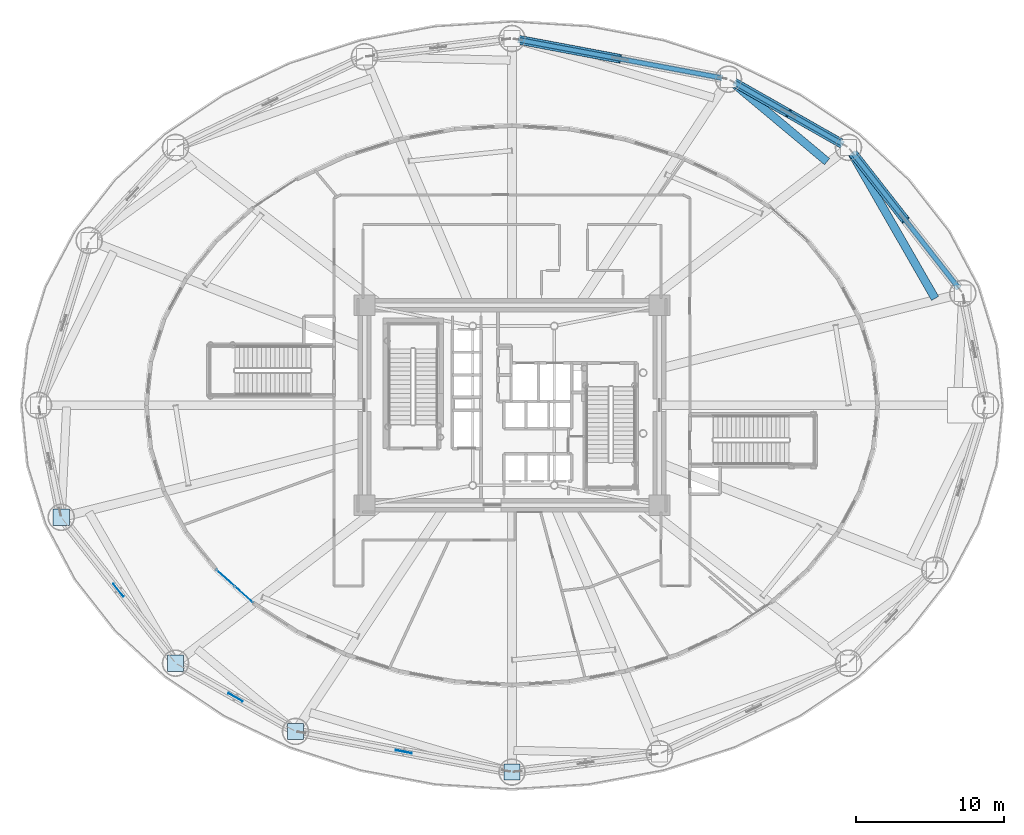
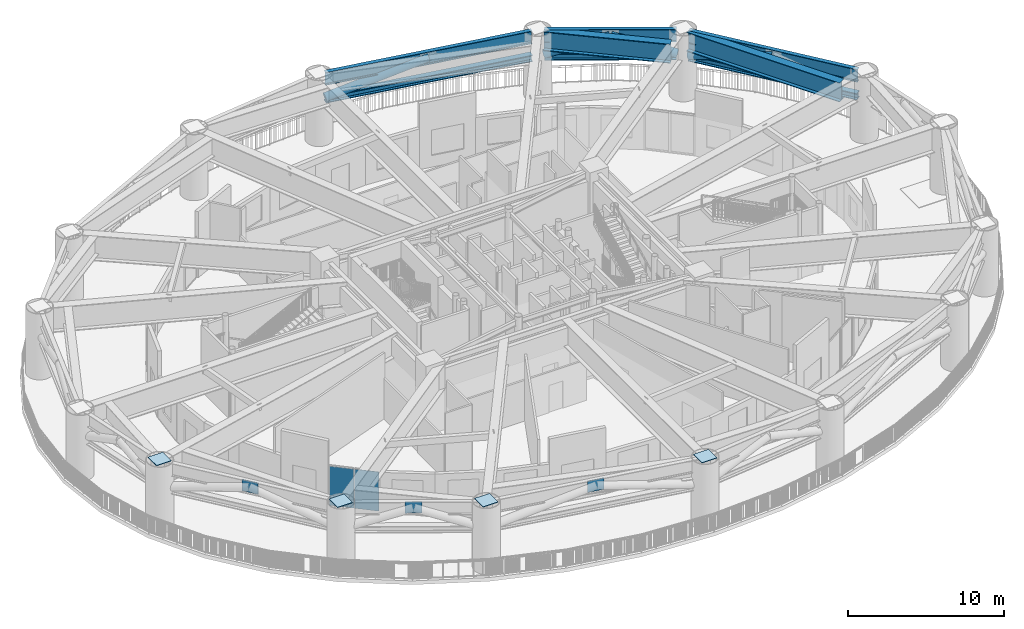
# One storey, part 15 of 39: 9 plates, 8 beams, 4 members, 1 element without a shape of its own.
"""IFC4 building model written with IfcOpenShell, lengths in metres."""

from ifc_helpers import new_model, si_unit, direction, frame, origin, origin_2d, place, context, subcontext, project, spatial, rectangle, hollow_circle, i_section, extrude, source, transform, mapped, material, layer, layer_set, material_profile, profile_set, type_object, element, aggregate, save


model = new_model("IFC4")

# Units and contexts
model_context = context("Model", 3, precision=1e-05, world=origin(), true_north=direction((0.0, 1.0)))
body_context = subcontext(model_context, "Body", "Model", "MODEL_VIEW")
ifc_project = project(units=[si_unit("LENGTHUNIT", "METRE"), si_unit("AREAUNIT", "SQUARE_METRE"), si_unit("VOLUMEUNIT", "CUBIC_METRE"), si_unit("PLANEANGLEUNIT", "RADIAN"), si_unit("MASSUNIT", "GRAM", prefix="KILO")], contexts=[model_context])

# Site, building, storey
site_placement = place(None, origin())
site = spatial("IfcSite", under=ifc_project, at=site_placement, CompositionType="ELEMENT")
building_placement = place(site_placement, origin())
building = spatial("IfcBuilding", under=site, at=building_placement, Name="Linh Dai School and Residence Tower", CompositionType="ELEMENT")
storey_placement = place(building_placement, frame((0.0, 0.0, 27.0)))
storey = spatial("IfcBuildingStorey", under=building, at=storey_placement, Name="L06", CompositionType="ELEMENT", Elevation=27.0)

# Beams
ifc_material_1 = material(Name="Structural Steel S355JR", Category="steel")
ifc_material_profile_1 = material_profile(ifc_material_1, i_section(OverallWidth=0.41796875, OverallDepth=0.506103515625, WebThickness=0.038818359375, FlangeThickness=0.05810546875, FilletRadius=0.014892578125, at=origin_2d()), Name="HD 400x551")
ifc_profile_set_1 = profile_set([ifc_material_profile_1], Name="Structural Steel S355JR")
beam_type_1 = type_object("IfcBeamType", Name="BM-BC1", PredefinedType="BEAM", material=ifc_profile_set_1)
beam_1_placement = place(storey_placement, frame((66.161376953125, 34.885986328125, 3.050048828125), z_axis=(-0.616811949607, 0.787110550572, 0.0), x_axis=(-0.787110550572, -0.616811949607, 0.0)))
element("IfcBeam", 1, at=beam_1_placement, inside=storey, type_object=beam_type_1, Name="L06 Ring Belt Truss BT1 Bottom Chord 02", PredefinedType="BEAM", context=body_context, shape_type="SweptSolid", body=[
    extrude(i_section(OverallWidth=0.41796875, OverallDepth=0.506103515625, WebThickness=0.038818359375, FlangeThickness=0.05810546875, FilletRadius=0.014892578125, at=origin_2d()), origin(), (0.0, 0.0, 1.0), 11.668212890625),
])
beam_2_placement = place(storey_placement, frame((58.340087890625, 44.6083984375, 3.050048828125), z_axis=(-0.869246663758, 0.494378637833, 0.0), x_axis=(-0.494378637833, -0.869246663758, 0.0)))
element("IfcBeam", 2, at=beam_2_placement, inside=storey, type_object=beam_type_1, Name="L06 Ring Belt Truss BT1 Bottom Chord 03", PredefinedType="BEAM", context=body_context, shape_type="SweptSolid", body=[
    extrude(i_section(OverallWidth=0.41796875, OverallDepth=0.506103515625, WebThickness=0.038818359375, FlangeThickness=0.05810546875, FilletRadius=0.014892578125, at=origin_2d()), origin(), (0.0, 0.0, 1.0), 8.4736328125),
])
beam_3_placement = place(storey_placement, frame((50.196533203125, 49.082763671875, 3.050048828125), z_axis=(-0.98280551354, 0.184643772045, 0.0), x_axis=(-0.184643772045, -0.98280551354, 0.0)))
element("IfcBeam", 3, at=beam_3_placement, inside=storey, type_object=beam_type_1, Name="L06 Ring Belt Truss BT1 Bottom Chord 04", PredefinedType="BEAM", context=body_context, shape_type="SweptSolid", body=[
    extrude(i_section(OverallWidth=0.41796875, OverallDepth=0.506103515625, WebThickness=0.038818359375, FlangeThickness=0.05810546875, FilletRadius=0.014892578125, at=origin_2d()), origin(), (0.0, 0.0, 1.0), 14.02490234375),
])
ifc_material_profile_2 = material_profile(ifc_material_1, i_section(OverallWidth=0.300048828125, OverallDepth=1.0, WebThickness=0.01904296875, FlangeThickness=0.035888671875, FilletRadius=0.030029296875, at=origin_2d()), Name="HEB 1000")
ifc_profile_set_2 = profile_set([ifc_material_profile_2], Name="Structural Steel S355JR")
beam_type_2 = type_object("IfcBeamType", Name="BM-RG10", PredefinedType="BEAM", material=ifc_profile_set_2)
beam_4_placement = place(storey_placement, frame((66.161376953125, 34.885986328125, 4.64990234375), z_axis=(-0.616811949607, 0.787110550572, 0.0), x_axis=(-0.787110550572, -0.616811949607, 0.0)))
element("IfcBeam", 4, at=beam_4_placement, inside=storey, type_object=beam_type_2, Name="L06 Perimeter Elliptical Ring Beam 02", PredefinedType="BEAM", context=body_context, shape_type="SweptSolid", body=[
    extrude(i_section(OverallWidth=0.300048828125, OverallDepth=1.0, WebThickness=0.01904296875, FlangeThickness=0.035888671875, FilletRadius=0.030029296875, at=origin_2d()), origin(), (0.0, 0.0, 1.0), 11.668212890625),
])
beam_5_placement = place(storey_placement, frame((58.340087890625, 44.6083984375, 4.64990234375), z_axis=(-0.869246663758, 0.494378637833, 0.0), x_axis=(-0.494378637833, -0.869246663758, 0.0)))
element("IfcBeam", 5, at=beam_5_placement, inside=storey, type_object=beam_type_2, Name="L06 Perimeter Elliptical Ring Beam 03", PredefinedType="BEAM", context=body_context, shape_type="SweptSolid", body=[
    extrude(i_section(OverallWidth=0.300048828125, OverallDepth=1.0, WebThickness=0.01904296875, FlangeThickness=0.035888671875, FilletRadius=0.030029296875, at=origin_2d()), origin(), (0.0, 0.0, 1.0), 8.4736328125),
])
beam_6_placement = place(storey_placement, frame((50.196533203125, 49.082763671875, 4.64990234375), z_axis=(-0.98280551354, 0.184643772045, 0.0), x_axis=(-0.184643772045, -0.98280551354, 0.0)))
element("IfcBeam", 6, at=beam_6_placement, inside=storey, type_object=beam_type_2, Name="L06 Perimeter Elliptical Ring Beam 04", PredefinedType="BEAM", context=body_context, shape_type="SweptSolid", body=[
    extrude(i_section(OverallWidth=0.300048828125, OverallDepth=1.0, WebThickness=0.01904296875, FlangeThickness=0.035888671875, FilletRadius=0.030029296875, at=origin_2d()), origin(), (0.0, 0.0, 1.0), 14.02490234375),
])
ifc_material_profile_3 = material_profile(ifc_material_1, i_section(OverallWidth=0.550048828125, OverallDepth=1.5, WebThickness=0.028076171875, FlangeThickness=0.050048828125, at=origin_2d()), Name="PG 1500x550x28x50")
ifc_profile_set_3 = profile_set([ifc_material_profile_3], Name="Structural Steel S355JR")
beam_type_3 = type_object("IfcBeamType", Name="BM-TG15", PredefinedType="BEAM", material=ifc_profile_set_3)
beam_7_placement = place(storey_placement, frame((64.551025390625, 34.212646484375, 4.39990234375), z_axis=(-0.497679559696, 0.867360972065, 0.0), x_axis=(-0.867360972065, -0.497679559696, 0.0)))
element("IfcBeam", 7, at=beam_7_placement, inside=storey, type_object=beam_type_3, Name="L06 Setback Diaphragm Transfer Girder 02", PredefinedType="BEAM", context=body_context, shape_type="SweptSolid", body=[
    extrude(i_section(OverallWidth=0.550048828125, OverallDepth=1.5, WebThickness=0.028076171875, FlangeThickness=0.050048828125, at=origin_2d()), origin(), (0.0, 0.0, 1.0), 11.325927734375),
])
beam_8_placement = place(storey_placement, frame((57.2607421875, 43.446044921875, 4.39990234375), z_axis=(-0.767305895416, 0.641281266575, 0.0), x_axis=(-0.641281266575, -0.767305895416, 0.0)))
element("IfcBeam", 8, at=beam_8_placement, inside=storey, type_object=beam_type_3, Name="L06 Setback Diaphragm Transfer Girder 03", PredefinedType="BEAM", context=body_context, shape_type="SweptSolid", body=[
    extrude(i_section(OverallWidth=0.550048828125, OverallDepth=1.5, WebThickness=0.028076171875, FlangeThickness=0.050048828125, at=origin_2d()), origin(), (0.0, 0.0, 1.0), 8.248779296875),
])

# Members
ifc_material_profile_4 = material_profile(ifc_material_1, hollow_circle(Radius=0.304931640625, WallThickness=0.02490234375, at=origin_2d()), Name="CHS 610x25")
ifc_profile_set_4 = profile_set([ifc_material_profile_4], Name="Structural Steel S355JR")
member_type = type_object("IfcMemberType", Name="MBR-BT1", PredefinedType="BRACE", material=ifc_profile_set_4)
member_1_placement = place(storey_placement, frame((58.956298828125, 44.080322265625, 3.154052734375), z_axis=(0.597582240686, -0.76254131315, 0.247843118438), x_axis=(0.787098649384, 0.616827136351, 0.0)))
element("IfcMember", 9, at=member_1_placement, inside=storey, type_object=member_type, Name="L06 Ring Belt Truss BT1 Diagonal 02B", PredefinedType="BRACE", context=body_context, shape_type="SweptSolid", body=[
    extrude(hollow_circle(Radius=0.304931640625, WallThickness=0.02490234375, at=origin_2d()), origin(), (0.0, 0.0, 1.0), 6.035400390625),
])
for number, where, z_axis, x_axis, name in (
    (10, (58.35986328125, 44.596923828125, 3.1865234375), (-0.82207670469, 0.467574420061, 0.324906222333), (-0.494397335432, -0.869236029349, 0.0), "L06 Ring Belt Truss BT1 Diagonal 03A"),
    (11, (50.95458984375, 48.808837890625, 3.1865234375), (0.82207670469, -0.467574420061, 0.324906222333), (0.494397335432, 0.869236029349, 0.0), "L06 Ring Belt Truss BT1 Diagonal 03B"),
):
    element("IfcMember", number, at=place(storey_placement, frame(where, z_axis=z_axis, x_axis=x_axis)), inside=storey, type_object=member_type, Name=name, PredefinedType="BRACE", context=body_context, shape_type="SweptSolid", body=[
        extrude(hollow_circle(Radius=0.304931640625, WallThickness=0.02490234375, at=origin_2d()), origin(), (0.0, 0.0, 1.0), 4.50390625),
    ])
member_2_placement = place(storey_placement, frame((36.403564453125, 51.674072265625, 3.138427734375), z_axis=(0.960802607279, -0.180488267048, 0.21043368386), x_axis=(0.184622304862, 0.982809546427, 0.0)))
element("IfcMember", 12, at=member_2_placement, inside=storey, type_object=member_type, Name="L06 Ring Belt Truss BT1 Diagonal 04B", PredefinedType="BRACE", context=body_context, shape_type="SweptSolid", body=[
    extrude(hollow_circle(Radius=0.304931640625, WallThickness=0.02490234375, at=origin_2d()), origin(), (0.0, 0.0, 1.0), 7.1826171875),
])

# Plates
ifc_layer_1 = layer(ifc_material_1, 0.0400390625)
ifc_layer_set_1 = layer_set([ifc_layer_1], Name="Structural Steel S355JR")
plate_type_1 = type_object("IfcPlateType", Name="PLT-GP1", PredefinedType="USERDEFINED", material=ifc_layer_set_1)
shared_shape_1 = source(origin(), body_context, "Body", "SweptSolid", [
    extrude(rectangle(XDim=1.10009765625, YDim=1.10009765625, at=origin_2d()), origin(), (0.0, 0.0, 1.0), 0.0400390625),
])
for number, where, z_axis, x_axis, name in (
    (13, (5.57958984375, 19.444580078125, 5.14990234375), (0.0, 0.0, 1.0), (1.0, 0.0, 0.0), "L06 MC10 Column Cap Plate"),
    (14, (13.294677734375, 9.599365234375, 5.14990234375), (0.0, 0.0, 1.0), (1.0, 0.0, 0.0), "L06 MC11 Column Cap Plate"),
    (15, (21.390869140625, 4.994873046875, 5.14990234375), (0.0, 0.0, 1.0), (1.0, 0.0, 0.0), "L06 MC12 Column Cap Plate"),
    (16, (36.0, 2.25, 5.14990234375), (0.0, 0.0, 1.0), (1.0, 0.0, 0.0), "L06 MC13 Column Cap Plate"),
):
    element("IfcPlate", number, at=place(storey_placement, frame(where, z_axis=z_axis, x_axis=x_axis)), inside=storey, type_object=plate_type_1, Name=name, ObjectType="GUSSET PLATE", PredefinedType="USERDEFINED", context=body_context, shape_type="MappedRepresentation", body=[
        mapped(shared_shape_1, transform((0.0, 0.0, 0.0), x_axis=(1.0, 0.0, 0.0), y_axis=(0.0, 1.0, 0.0), z_axis=(0.0, 0.0, 1.0), scale=1.0)),
    ])
shared_shape_2 = source(origin(), body_context, "Body", "SweptSolid", [
    extrude(rectangle(XDim=1.10009765625, YDim=0.0400390625, at=origin_2d()), origin(), (0.0, 0.0, 1.0), 0.89990234375),
])
for number, where, z_axis, x_axis, name in (
    (17, (9.43701171875, 14.52197265625, 4.199951171875), (0.0, 0.0, 1.0), (0.616818943484, -0.787105069834, 0.0), "L06 Belt Truss BT1 Node Gusset Plate 10"),
    (18, (17.3427734375, 7.297119140625, 4.199951171875), (0.0, 0.0, 1.0), (0.869247655355, -0.494376894343, 0.0), "L06 Belt Truss BT1 Node Gusset Plate 11"),
    (19, (28.6953125, 3.622314453125, 4.199951171875), (0.0, 0.0, 1.0), (0.982804039989, -0.184651615161, 0.0), "L06 Belt Truss BT1 Node Gusset Plate 12"),
):
    element("IfcPlate", number, at=place(storey_placement, frame(where, z_axis=z_axis, x_axis=x_axis)), inside=storey, type_object=plate_type_1, Name=name, ObjectType="GUSSET PLATE", PredefinedType="USERDEFINED", context=body_context, shape_type="MappedRepresentation", body=[
        mapped(shared_shape_2, transform((0.0, 0.0, 0.0), x_axis=(1.0, 0.0, 0.0), y_axis=(0.0, 1.0, 0.0), z_axis=(0.0, 0.0, 1.0), scale=1.0)),
    ])

# Curtain wall, plates
ifc_material_2 = material(Name="Aluminium Anodised Curtain Wall", Category="aluminium")
ifc_layer_2 = layer(ifc_material_2, 0.169921875)
ifc_layer_set_2 = layer_set([ifc_layer_2], Name="Aluminium Anodised Curtain Wall")
curtain_wall_type = type_object("IfcCurtainWallType", Name="CW-SYS-2", PredefinedType="USERDEFINED", material=ifc_layer_set_2)
curtain_wall_placement = place(storey_placement, origin())
curtain_wall = element("IfcCurtainWall", 20, at=curtain_wall_placement, inside=storey, type_object=curtain_wall_type, Name="L06 CW2 Curtain Wall 25", ObjectType="UNITISED CURTAIN WALL", PredefinedType="USERDEFINED")
ifc_material_3 = material(Name="Double Low-E Insulated Glazing", Category="glass")
ifc_layer_3 = layer(ifc_material_3, 0.030029296875)
ifc_layer_set_3 = layer_set([ifc_layer_3], Name="Double Low-E Insulated Glazing")
plate_type_2 = type_object("IfcPlateType", Name="CW-SYS-2-PAN", PredefinedType="CURTAIN_PANEL", material=ifc_layer_set_3)
shared_shape_3 = source(origin(), body_context, "Body", "SweptSolid", [
    extrude(rectangle(XDim=1.59765625, YDim=0.030029296875, at=origin_2d()), origin(), (0.0, 0.0, 1.0), 3.06494140625),
])
plate_1_placement = place(storey_placement, frame((17.900390625, 14.23779296875, 0.06005859375), z_axis=(0.0, 0.0, 1.0), x_axis=(-0.744402517349, 0.667731152609, 0.0)))
plate_1 = element("IfcPlate", 21, at=plate_1_placement, type_object=plate_type_2, Name="CW2 panel 1.1", PredefinedType="CURTAIN_PANEL", context=body_context, shape_type="MappedRepresentation", body=[
    mapped(shared_shape_3, transform((0.0, 0.0, 0.0), x_axis=(1.0, 0.0, 0.0), y_axis=(0.0, 1.0, 0.0), z_axis=(0.0, 0.0, 1.0), scale=1.0)),
])
plate_2_placement = place(storey_placement, frame((16.66650390625, 15.344482421875, 0.06005859375), z_axis=(0.0, 0.0, 1.0), x_axis=(-0.744402517349, 0.667731152609, 0.0)))
plate_2 = element("IfcPlate", 22, at=plate_2_placement, type_object=plate_type_2, Name="CW2 panel 2.1", PredefinedType="CURTAIN_PANEL", context=body_context, shape_type="MappedRepresentation", body=[
    mapped(shared_shape_3, transform((0.0, 0.0, 0.0), x_axis=(1.0, 0.0, 0.0), y_axis=(0.0, 1.0, 0.0), z_axis=(0.0, 0.0, 1.0), scale=1.0)),
])
aggregate(curtain_wall, [plate_1, plate_2])

save(model, "model.ifc")
